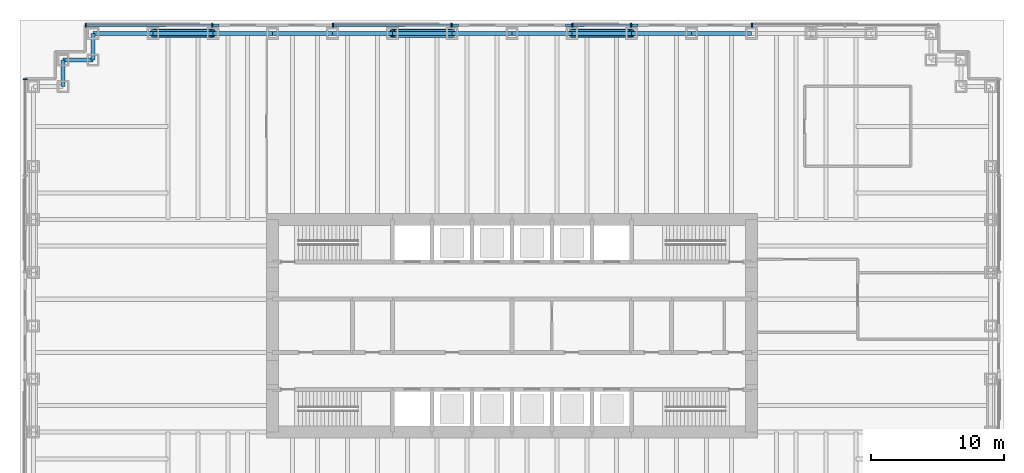
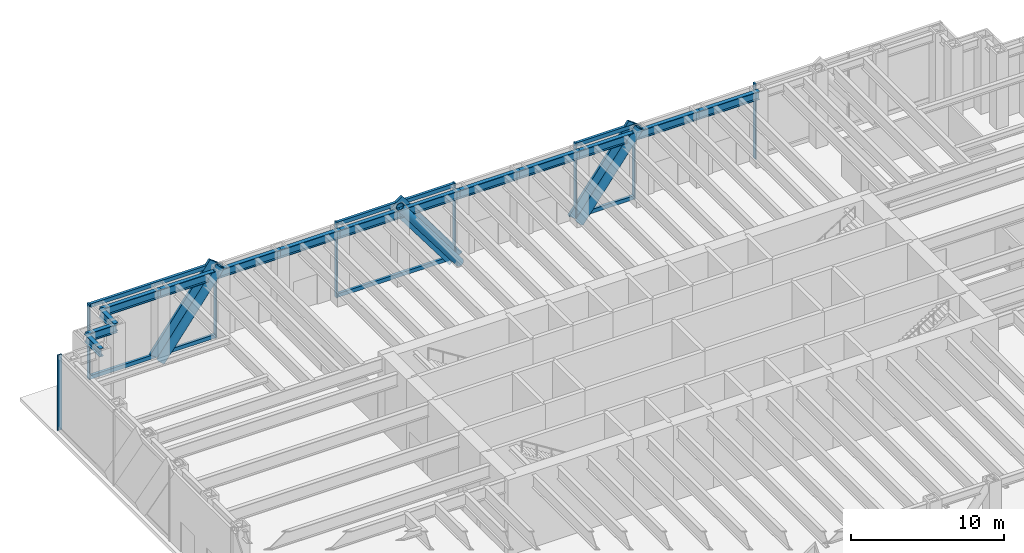
# One storey, part 8 of 17: 20 members, 14 beams, 5 elements without a shape of their own.
"""IFC4 building model written with IfcOpenShell, lengths in metres."""

from ifc_helpers import new_model, si_unit, direction, frame, origin, origin_2d, place, context, subcontext, project, spatial, rectangle, hollow_circle, i_section, extrude, material, material_profile, profile_set, type_object, element, aggregate, save


model = new_model("IFC4")

# Units and contexts
model_context = context("Model", 3, precision=1e-05, world=origin(), true_north=direction((0.0, 1.0)))
body_context = subcontext(model_context, "Body", "Model", "MODEL_VIEW")
ifc_project = project(units=[si_unit("LENGTHUNIT", "METRE"), si_unit("AREAUNIT", "SQUARE_METRE"), si_unit("VOLUMEUNIT", "CUBIC_METRE"), si_unit("PLANEANGLEUNIT", "RADIAN"), si_unit("MASSUNIT", "GRAM", prefix="KILO")], contexts=[model_context])

# Site, building, storey
site_placement = place(None, origin())
site = spatial("IfcSite", under=ifc_project, at=site_placement, CompositionType="ELEMENT")
building_placement = place(site_placement, origin())
building = spatial("IfcBuilding", under=site, at=building_placement, Name="Rheinbord Bourse Tower", CompositionType="ELEMENT")
storey_placement = place(building_placement, origin())
storey = spatial("IfcBuildingStorey", under=building, at=storey_placement, Name="L00", CompositionType="ELEMENT", Elevation=0.0)

# Curtain wall, member
ifc_material_1 = material(Name="Dark glass and black aluminium", Category="aluminium")
curtain_wall_type = type_object("IfcCurtainWallType", Name="CW4 DARK GLASS CURTAIN WALL", PredefinedType="USERDEFINED", material=ifc_material_1)
curtain_wall_1_placement = place(storey_placement, origin())
curtain_wall_1 = element("IfcCurtainWall", 1, at=curtain_wall_1_placement, inside=storey, type_object=curtain_wall_type, Name="Curtain wall CW4 N L00", ObjectType="UNITISED CURTAIN WALL", PredefinedType="USERDEFINED")
ifc_material_2 = material(Name="Black anodised aluminium", Category="aluminium")
ifc_material_profile_1 = material_profile(ifc_material_2, rectangle(XDim=0.199951171875, YDim=1.2099609375, at=origin_2d()), Name="CW4 DIAGONAL MULLION 1210x200")
ifc_profile_set_1 = profile_set([ifc_material_profile_1], Name="Black anodised aluminium")
member_type_1 = type_object("IfcMemberType", Name="CW4 BLACK DIAGONAL MULLION", PredefinedType="USERDEFINED", material=ifc_profile_set_1)
member_1_placement = place(storey_placement, frame((40.5, 46.60009765625, 0.0), z_axis=(0.6, 0.0, 0.8), x_axis=(0.0, 1.0, 0.0)))
member_1 = element("IfcMember", 2, at=member_1_placement, type_object=member_type_1, Name="CW4 diagonal mullion c", ObjectType="DIAGONAL MULLION", PredefinedType="USERDEFINED", context=body_context, shape_type="SweptSolid", body=[
    extrude(rectangle(XDim=0.199951171875, YDim=1.2099609375, at=origin_2d()), origin(), (0.0, 0.0, 1.0), 7.5),
])

curtain_wall_2_placement = place(storey_placement, origin())
curtain_wall_2 = element("IfcCurtainWall", 3, at=curtain_wall_2_placement, inside=storey, type_object=curtain_wall_type, Name="Curtain wall CW4 N L00", ObjectType="UNITISED CURTAIN WALL", PredefinedType="USERDEFINED")
member_2_placement = place(storey_placement, frame((31.5, 46.60009765625, 0.0), z_axis=(-0.6, 0.0, 0.8), x_axis=(0.0, -1.0, 0.0)))
member_2 = element("IfcMember", 4, at=member_2_placement, type_object=member_type_1, Name="CW4 diagonal mullion d", ObjectType="DIAGONAL MULLION", PredefinedType="USERDEFINED", context=body_context, shape_type="SweptSolid", body=[
    extrude(rectangle(XDim=0.199951171875, YDim=1.2099609375, at=origin_2d()), origin(), (0.0, 0.0, 1.0), 7.5),
])

curtain_wall_3_placement = place(storey_placement, origin())
curtain_wall_3 = element("IfcCurtainWall", 5, at=curtain_wall_3_placement, inside=storey, type_object=curtain_wall_type, Name="Curtain wall CW4 N L00", ObjectType="UNITISED CURTAIN WALL", PredefinedType="USERDEFINED")
member_3_placement = place(storey_placement, frame((9.0, 46.60009765625, 0.0), z_axis=(0.6, 0.0, 0.8), x_axis=(0.0, 1.0, 0.0)))
member_3 = element("IfcMember", 6, at=member_3_placement, type_object=member_type_1, Name="CW4 diagonal mullion a", ObjectType="DIAGONAL MULLION", PredefinedType="USERDEFINED", context=body_context, shape_type="SweptSolid", body=[
    extrude(rectangle(XDim=0.199951171875, YDim=1.2099609375, at=origin_2d()), origin(), (0.0, 0.0, 1.0), 7.5),
])

curtain_wall_4_placement = place(storey_placement, origin())
curtain_wall_4 = element("IfcCurtainWall", 7, at=curtain_wall_4_placement, inside=storey, type_object=curtain_wall_type, Name="Curtain wall CW4 N L00", ObjectType="UNITISED CURTAIN WALL", PredefinedType="USERDEFINED")
ifc_material_3 = material(Name="Black anodised aluminium", Category="aluminium")
ifc_material_profile_2 = material_profile(ifc_material_3, rectangle(XDim=0.300048828125, YDim=0.090087890625, at=origin_2d()), Name="CW4 MULLION 90x300")
ifc_profile_set_2 = profile_set([ifc_material_profile_2], Name="Black anodised aluminium")
member_type_2 = type_object("IfcMemberType", Name="CW4 BLACK MULLION", PredefinedType="MULLION", material=ifc_profile_set_2)
member_4_placement = place(storey_placement, frame((54.044921875, 46.60009765625, 0.0), z_axis=(0.0, 0.0, 1.0), x_axis=(0.0, -1.0, 0.0)))
member_4 = element("IfcMember", 8, at=member_4_placement, type_object=member_type_2, Name="CW4 mullion 3", PredefinedType="MULLION", context=body_context, shape_type="SweptSolid", body=[
    extrude(rectangle(XDim=0.300048828125, YDim=0.090087890625, at=origin_2d()), origin(), (0.0, 0.0, 1.0), 6.0),
])
aggregate(curtain_wall_4, [member_4])

# Member
member_5_placement = place(storey_placement, frame((44.955078125, 46.60009765625, 0.0), z_axis=(0.0, 0.0, 1.0), x_axis=(0.0, -1.0, 0.0)))
member_5 = element("IfcMember", 9, at=member_5_placement, type_object=member_type_2, Name="CW4 mullion 1", PredefinedType="MULLION", context=body_context, shape_type="SweptSolid", body=[
    extrude(rectangle(XDim=0.300048828125, YDim=0.090087890625, at=origin_2d()), origin(), (0.0, 0.0, 1.0), 6.0),
])

member_6_placement = place(storey_placement, frame((40.544921875, 46.60009765625, 0.0), z_axis=(0.0, 0.0, 1.0), x_axis=(0.0, -1.0, 0.0)))
member_6 = element("IfcMember", 10, at=member_6_placement, type_object=member_type_2, Name="CW4 mullion 2", PredefinedType="MULLION", context=body_context, shape_type="SweptSolid", body=[
    extrude(rectangle(XDim=0.300048828125, YDim=0.090087890625, at=origin_2d()), origin(), (0.0, 0.0, 1.0), 6.0),
])

member_7_placement = place(storey_placement, frame((31.455078125, 46.60009765625, 0.0), z_axis=(0.0, 0.0, 1.0), x_axis=(0.0, -1.0, 0.0)))
member_7 = element("IfcMember", 11, at=member_7_placement, type_object=member_type_2, Name="CW4 mullion 1", PredefinedType="MULLION", context=body_context, shape_type="SweptSolid", body=[
    extrude(rectangle(XDim=0.300048828125, YDim=0.090087890625, at=origin_2d()), origin(), (0.0, 0.0, 1.0), 6.0),
])

member_8_placement = place(storey_placement, frame((22.544921875, 46.60009765625, 0.0), z_axis=(0.0, 0.0, 1.0), x_axis=(0.0, -1.0, 0.0)))
member_8 = element("IfcMember", 12, at=member_8_placement, type_object=member_type_2, Name="CW4 mullion 2", PredefinedType="MULLION", context=body_context, shape_type="SweptSolid", body=[
    extrude(rectangle(XDim=0.300048828125, YDim=0.090087890625, at=origin_2d()), origin(), (0.0, 0.0, 1.0), 6.0),
])

member_9_placement = place(storey_placement, frame((13.455078125, 46.60009765625, 0.0), z_axis=(0.0, 0.0, 1.0), x_axis=(0.0, -1.0, 0.0)))
member_9 = element("IfcMember", 13, at=member_9_placement, type_object=member_type_2, Name="CW4 mullion 1", PredefinedType="MULLION", context=body_context, shape_type="SweptSolid", body=[
    extrude(rectangle(XDim=0.300048828125, YDim=0.090087890625, at=origin_2d()), origin(), (0.0, 0.0, 1.0), 6.0),
])

member_10_placement = place(storey_placement, frame((3.945068359375, 46.60009765625, 0.0), z_axis=(0.0, 0.0, 1.0), x_axis=(0.0, -1.0, 0.0)))
member_10 = element("IfcMember", 14, at=member_10_placement, type_object=member_type_2, Name="CW4 mullion 2", PredefinedType="MULLION", context=body_context, shape_type="SweptSolid", body=[
    extrude(rectangle(XDim=0.300048828125, YDim=0.090087890625, at=origin_2d()), origin(), (0.0, 0.0, 1.0), 6.0),
])

# Curtain wall, member
curtain_wall_5_placement = place(storey_placement, origin())
curtain_wall_5 = element("IfcCurtainWall", 15, at=curtain_wall_5_placement, inside=storey, type_object=curtain_wall_type, Name="Curtain wall CW4 W L00", ObjectType="UNITISED CURTAIN WALL", PredefinedType="USERDEFINED")
member_11_placement = place(storey_placement, frame((-0.60009765625, 42.554931640625, 0.0), z_axis=(0.0, 0.0, 1.0), x_axis=(1.0, 0.0, 0.0)))
member_11 = element("IfcMember", 16, at=member_11_placement, type_object=member_type_2, Name="CW4 mullion 1", PredefinedType="MULLION", context=body_context, shape_type="SweptSolid", body=[
    extrude(rectangle(XDim=0.300048828125, YDim=0.090087890625, at=origin_2d()), origin(), (0.0, 0.0, 1.0), 6.0),
])
aggregate(curtain_wall_5, [member_11])

# Member
ifc_material_4 = material(Name="Black anodised aluminium", Category="aluminium")
ifc_material_profile_3 = material_profile(ifc_material_4, rectangle(XDim=0.199951171875, YDim=0.300048828125, at=origin_2d()), Name="CW4 TRANSOM 300x200")
ifc_profile_set_3 = profile_set([ifc_material_profile_3], Name="Black anodised aluminium")
member_type_3 = type_object("IfcMemberType", Name="CW4 BLACK TRANSOM", PredefinedType="USERDEFINED", material=ifc_profile_set_3)
member_12_placement = place(storey_placement, frame((44.909912109375, 46.60009765625, 0.14990234375), z_axis=(-1.0, 0.0, 0.0), x_axis=(0.0, -1.0, 0.0)))
member_12 = element("IfcMember", 17, at=member_12_placement, type_object=member_type_3, Name="CW4 transom 1.1", ObjectType="TRANSOM", PredefinedType="USERDEFINED", context=body_context, shape_type="SweptSolid", body=[
    extrude(rectangle(XDim=0.199951171875, YDim=0.300048828125, at=origin_2d()), origin(), (0.0, 0.0, 1.0), 4.31982421875),
])

member_13_placement = place(storey_placement, frame((44.909912109375, 46.60009765625, 5.85009765625), z_axis=(-1.0, 0.0, 0.0), x_axis=(0.0, -1.0, 0.0)))
member_13 = element("IfcMember", 18, at=member_13_placement, type_object=member_type_3, Name="CW4 transom 1.2", ObjectType="TRANSOM", PredefinedType="USERDEFINED", context=body_context, shape_type="SweptSolid", body=[
    extrude(rectangle(XDim=0.199951171875, YDim=0.300048828125, at=origin_2d()), origin(), (0.0, 0.0, 1.0), 4.31982421875),
])

aggregate(curtain_wall_1, [member_5, member_6, member_12, member_13, member_1])

member_14_placement = place(storey_placement, frame((31.409912109375, 46.60009765625, 0.14990234375), z_axis=(-1.0, 0.0, 0.0), x_axis=(0.0, -1.0, 0.0)))
member_14 = element("IfcMember", 19, at=member_14_placement, type_object=member_type_3, Name="CW4 transom 1.1", ObjectType="TRANSOM", PredefinedType="USERDEFINED", context=body_context, shape_type="SweptSolid", body=[
    extrude(rectangle(XDim=0.199951171875, YDim=0.300048828125, at=origin_2d()), origin(), (0.0, 0.0, 1.0), 8.81982421875),
])

member_15_placement = place(storey_placement, frame((31.409912109375, 46.60009765625, 5.85009765625), z_axis=(-1.0, 0.0, 0.0), x_axis=(0.0, -1.0, 0.0)))
member_15 = element("IfcMember", 20, at=member_15_placement, type_object=member_type_3, Name="CW4 transom 1.2", ObjectType="TRANSOM", PredefinedType="USERDEFINED", context=body_context, shape_type="SweptSolid", body=[
    extrude(rectangle(XDim=0.199951171875, YDim=0.300048828125, at=origin_2d()), origin(), (0.0, 0.0, 1.0), 8.81982421875),
])

aggregate(curtain_wall_2, [member_7, member_8, member_14, member_15, member_2])

member_16_placement = place(storey_placement, frame((13.409912109375, 46.60009765625, 0.14990234375), z_axis=(-1.0, 0.0, 0.0), x_axis=(0.0, -1.0, 0.0)))
member_16 = element("IfcMember", 21, at=member_16_placement, type_object=member_type_3, Name="CW4 transom 1.1", ObjectType="TRANSOM", PredefinedType="USERDEFINED", context=body_context, shape_type="SweptSolid", body=[
    extrude(rectangle(XDim=0.199951171875, YDim=0.300048828125, at=origin_2d()), origin(), (0.0, 0.0, 1.0), 9.419921875),
])

member_17_placement = place(storey_placement, frame((13.409912109375, 46.60009765625, 5.85009765625), z_axis=(-1.0, 0.0, 0.0), x_axis=(0.0, -1.0, 0.0)))
member_17 = element("IfcMember", 22, at=member_17_placement, type_object=member_type_3, Name="CW4 transom 1.2", ObjectType="TRANSOM", PredefinedType="USERDEFINED", context=body_context, shape_type="SweptSolid", body=[
    extrude(rectangle(XDim=0.199951171875, YDim=0.300048828125, at=origin_2d()), origin(), (0.0, 0.0, 1.0), 9.419921875),
])

aggregate(curtain_wall_3, [member_9, member_10, member_16, member_17, member_3])

# Members
ifc_material_5 = material(Name="Steel S460", Category="steel")
ifc_material_profile_4 = material_profile(ifc_material_5, hollow_circle(Radius=0.304931640625, WallThickness=0.050048828125, at=origin_2d()), Name="CHS 610x50")
ifc_profile_set_4 = profile_set([ifc_material_profile_4], Name="Steel S460")
member_type_4 = type_object("IfcMemberType", Name="MEGABRACE CHS 610x50", PredefinedType="BRACE", material=ifc_profile_set_4)
for number, where, z_axis, x_axis, name in (
    (23, (9.0, 46.0, 0.0), (0.6, 0.0, 0.8), (0.0, 1.0, 0.0), "Megabrace N face line a L00"),
    (24, (40.5, 46.0, 0.0), (0.6, 0.0, 0.8), (0.0, 1.0, 0.0), "Megabrace N face line c L00"),
    (25, (31.5, 46.0, 0.0), (-0.6, 0.0, 0.8), (0.0, -1.0, 0.0), "Megabrace N face line d L00"),
):
    element("IfcMember", number, at=place(storey_placement, frame(where, z_axis=z_axis, x_axis=x_axis)), inside=storey, type_object=member_type_4, Name=name, PredefinedType="BRACE", context=body_context, shape_type="SweptSolid", body=[
        extrude(hollow_circle(Radius=0.304931640625, WallThickness=0.050048828125, at=origin_2d()), origin(), (0.0, 0.0, 1.0), 7.5),
    ])

# Beams
ifc_material_6 = material(Name="Steel S460", Category="steel")
ifc_material_profile_5 = material_profile(ifc_material_6, i_section(OverallWidth=0.304931640625, OverallDepth=0.66796875, WebThickness=0.02099609375, FlangeThickness=0.0400390625, at=origin_2d()), Name="HEM 650")
ifc_profile_set_5 = profile_set([ifc_material_profile_5], Name="Steel S460")
beam_type = type_object("IfcBeamType", Name="SPANDREL HEM 650", PredefinedType="SPANDREL", material=ifc_profile_set_5)
for number, where, z_axis, x_axis, name in (
    (26, (54.0, 46.0, 5.486083984375), (-1.0, 0.0, 0.0), (0.0, -1.0, 0.0), "Spandrel N-54-N-49.5 under L01"),
    (27, (49.5, 46.0, 5.486083984375), (-1.0, 0.0, 0.0), (0.0, -1.0, 0.0), "Spandrel N-49.5-N-45 under L01"),
    (28, (45.0, 46.0, 5.486083984375), (-1.0, 0.0, 0.0), (0.0, -1.0, 0.0), "Spandrel N-45-N-40.5 under L01"),
    (29, (40.5, 46.0, 5.486083984375), (-1.0, 0.0, 0.0), (0.0, -1.0, 0.0), "Spandrel N-40.5-N-36 under L01"),
    (30, (36.0, 46.0, 5.486083984375), (-1.0, 0.0, 0.0), (0.0, -1.0, 0.0), "Spandrel N-36-N-31.5 under L01"),
    (31, (31.5, 46.0, 5.486083984375), (-1.0, 0.0, 0.0), (0.0, -1.0, 0.0), "Spandrel N-31.5-N-27 under L01"),
    (32, (27.0, 46.0, 5.486083984375), (-1.0, 0.0, 0.0), (0.0, -1.0, 0.0), "Spandrel N-27-N-22.5 under L01"),
    (33, (22.5, 46.0, 5.486083984375), (-1.0, 0.0, 0.0), (0.0, -1.0, 0.0), "Spandrel N-22.5-N-18 under L01"),
    (34, (18.0, 46.0, 5.486083984375), (-1.0, 0.0, 0.0), (0.0, -1.0, 0.0), "Spandrel N-18-N-13.5 under L01"),
    (35, (13.5, 46.0, 5.486083984375), (-1.0, 0.0, 0.0), (0.0, -1.0, 0.0), "Spandrel N-13.5-N-9 under L01"),
    (36, (9.0, 46.0, 5.486083984375), (-1.0, 0.0, 0.0), (0.0, -1.0, 0.0), "Spandrel N-9-NW-E under L01"),
):
    element("IfcBeam", number, at=place(storey_placement, frame(where, z_axis=z_axis, x_axis=x_axis)), inside=storey, type_object=beam_type, Name=name, PredefinedType="SPANDREL", context=body_context, shape_type="SweptSolid", body=[
        extrude(i_section(OverallWidth=0.304931640625, OverallDepth=0.66796875, WebThickness=0.02099609375, FlangeThickness=0.0400390625, at=origin_2d()), origin(), (0.0, 0.0, 1.0), 4.5),
    ])
beam_1_placement = place(storey_placement, frame((4.5, 46.0, 5.486083984375), z_axis=(0.0, -1.0, 0.0), x_axis=(1.0, 0.0, 0.0)))
element("IfcBeam", 37, at=beam_1_placement, inside=storey, type_object=beam_type, Name="Spandrel NW-E-NW-D under L01", PredefinedType="SPANDREL", context=body_context, shape_type="SweptSolid", body=[
    extrude(i_section(OverallWidth=0.304931640625, OverallDepth=0.66796875, WebThickness=0.02099609375, FlangeThickness=0.0400390625, at=origin_2d()), origin(), (0.0, 0.0, 1.0), 2.0),
])
beam_2_placement = place(storey_placement, frame((4.5, 44.0, 5.486083984375), z_axis=(-1.0, 0.0, 0.0), x_axis=(0.0, -1.0, 0.0)))
element("IfcBeam", 38, at=beam_2_placement, inside=storey, type_object=beam_type, Name="Spandrel NW-D-NW-C under L01", PredefinedType="SPANDREL", context=body_context, shape_type="SweptSolid", body=[
    extrude(i_section(OverallWidth=0.304931640625, OverallDepth=0.66796875, WebThickness=0.02099609375, FlangeThickness=0.0400390625, at=origin_2d()), origin(), (0.0, 0.0, 1.0), 2.25),
])
beam_3_placement = place(storey_placement, frame((2.25, 44.0, 5.486083984375), z_axis=(0.0, -1.0, 0.0), x_axis=(1.0, 0.0, 0.0)))
element("IfcBeam", 39, at=beam_3_placement, inside=storey, type_object=beam_type, Name="Spandrel NW-C-NW-B under L01", PredefinedType="SPANDREL", context=body_context, shape_type="SweptSolid", body=[
    extrude(i_section(OverallWidth=0.304931640625, OverallDepth=0.66796875, WebThickness=0.02099609375, FlangeThickness=0.0400390625, at=origin_2d()), origin(), (0.0, 0.0, 1.0), 2.0),
])

save(model, "model.ifc")
